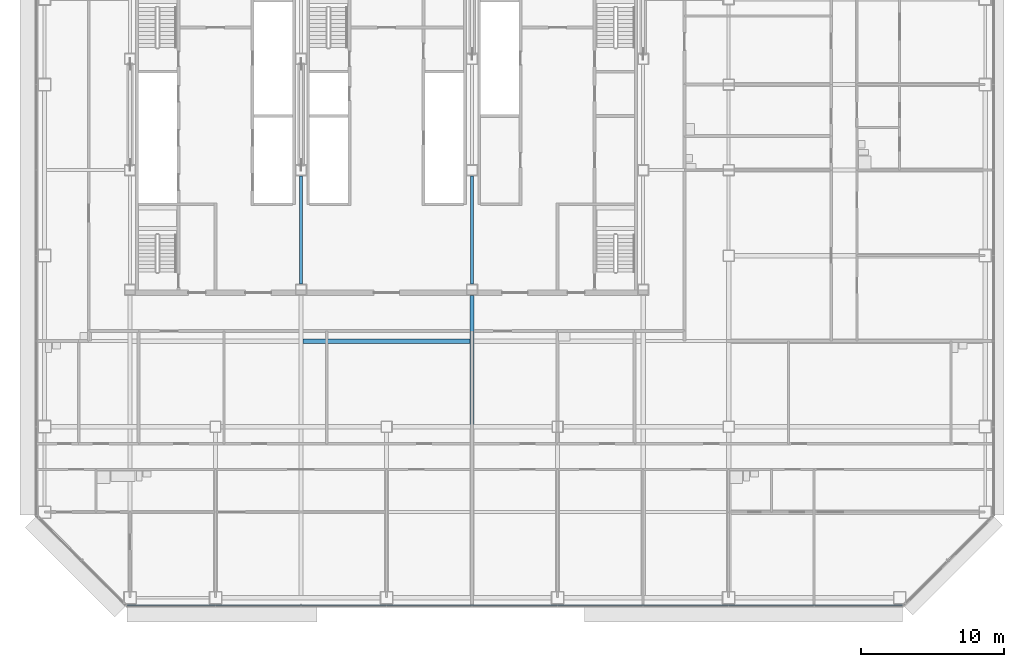
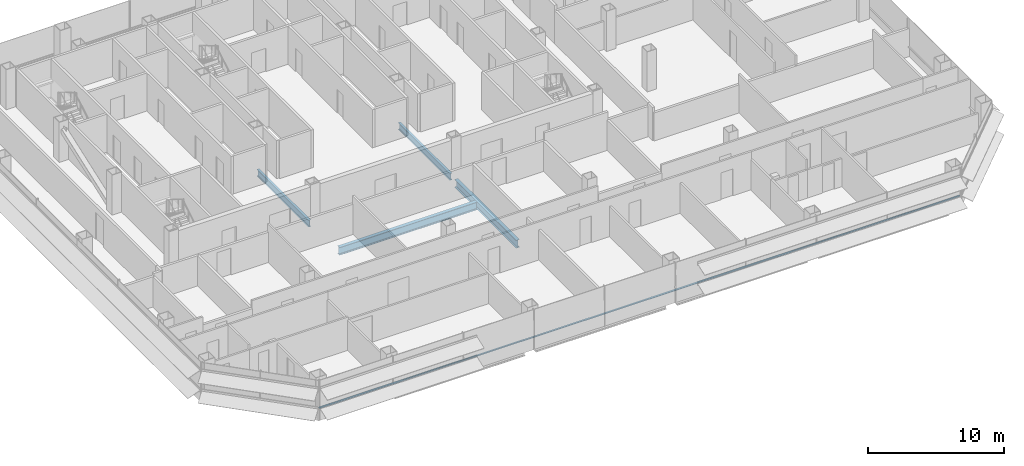
# One storey, part 7 of 27: 4 beams, 1 member, 1 element without a shape of its own.
"""IFC4 building model written with IfcOpenShell, lengths in metres."""

from ifc_helpers import new_model, si_unit, direction, frame, origin, origin_2d, place, context, subcontext, project, spatial, rectangle, i_section, extrude, material, material_profile, profile_set, type_object, element, aggregate, save


model = new_model("IFC4")

# Units and contexts
model_context = context("Model", 3, precision=1e-05, world=origin(), true_north=direction((0.0, 1.0)))
body_context = subcontext(model_context, "Body", "Model", "MODEL_VIEW")
ifc_project = project(units=[si_unit("LENGTHUNIT", "METRE"), si_unit("AREAUNIT", "SQUARE_METRE"), si_unit("VOLUMEUNIT", "CUBIC_METRE"), si_unit("PLANEANGLEUNIT", "RADIAN"), si_unit("MASSUNIT", "GRAM", prefix="KILO")], contexts=[model_context])

# Site, building, storey
site_placement = place(None, origin())
site = spatial("IfcSite", under=ifc_project, at=site_placement, CompositionType="ELEMENT")
building_placement = place(site_placement, origin())
building = spatial("IfcBuilding", under=site, at=building_placement, Name="Sorahane Residences", CompositionType="ELEMENT")
storey_placement = place(building_placement, frame((0.0, 0.0, 78.60009765625)))
storey = spatial("IfcBuildingStorey", under=building, at=storey_placement, Name="L16", CompositionType="ELEMENT", Elevation=78.60009765625)

# Curtain wall, member
ifc_material_1 = material(Name="Dark low-e glass and black anodised aluminium", Category="aluminium")
curtain_wall_type = type_object("IfcCurtainWallType", Name="Curtain wall CW-1 Typical unitised wall", PredefinedType="NOTDEFINED", material=ifc_material_1)
curtain_wall_placement = place(storey_placement, origin())
curtain_wall = element("IfcCurtainWall", 1, at=curtain_wall_placement, inside=storey, type_object=curtain_wall_type, Name="CW-1 curtain wall L16 S1", PredefinedType="NOTDEFINED")
ifc_material_2 = material(Name="Black anodised aluminium", Category="aluminium")
ifc_material_profile_1 = material_profile(ifc_material_2, rectangle(XDim=0.10009765625, YDim=0.06005859375, at=origin_2d()), Name="Curtain wall transom CW-1 black anodised aluminium 60x100")
ifc_profile_set_1 = profile_set([ifc_material_profile_1], Name="Black anodised aluminium")
member_type = type_object("IfcMemberType", Name="Curtain wall transom CW-1 black anodised aluminium 60x100", PredefinedType="USERDEFINED", material=ifc_profile_set_1)
member_placement = place(storey_placement, frame((5.801513671875, -0.530029296875, 0.89990234375), z_axis=(1.0, 0.0, 0.0), x_axis=(0.0, 1.0, 0.0)))
member = element("IfcMember", 2, at=member_placement, type_object=member_type, Name="CW-1 transom L16 S1", ObjectType="TRANSOM", PredefinedType="USERDEFINED", context=body_context, shape_type="SweptSolid", body=[
    extrude(rectangle(XDim=0.10009765625, YDim=0.06005859375, at=origin_2d()), origin(), (0.0, 0.0, 1.0), 54.39697265625),
])
aggregate(curtain_wall, [member])

# Beams
ifc_material_3 = material(Name="Steel Q355B", Category="steel")
ifc_material_profile_2 = material_profile(ifc_material_3, i_section(OverallWidth=0.199951171875, OverallDepth=0.60009765625, WebThickness=0.010986328125, FlangeThickness=0.01708984375, FilletRadius=0.02392578125, at=origin_2d()), Name="HN 600x200x11x17")
ifc_profile_set_2 = profile_set([ifc_material_profile_2], Name="Steel Q355B")
beam_type_1 = type_object("IfcBeamType", Name="Steel floor beam HN 600x200x11x17 Q355B", PredefinedType="BEAM", material=ifc_profile_set_2)
for number, where, z_axis, x_axis, name in (
    (3, (18.0, 22.0, -0.47998046875), (0.0, 1.0, 0.0), (-1.0, 0.0, 0.0), "Beam L16 031"),
    (4, (30.0, 22.0, -0.47998046875), (0.0, 1.0, 0.0), (-1.0, 0.0, 0.0), "Beam L16 039"),
):
    element("IfcBeam", number, at=place(storey_placement, frame(where, z_axis=z_axis, x_axis=x_axis)), inside=storey, type_object=beam_type_1, Name=name, PredefinedType="BEAM", context=body_context, shape_type="SweptSolid", body=[
        extrude(i_section(OverallWidth=0.199951171875, OverallDepth=0.60009765625, WebThickness=0.010986328125, FlangeThickness=0.01708984375, FilletRadius=0.02392578125, at=origin_2d()), origin(), (0.0, 0.0, 1.0), 7.60009765625),
    ])
ifc_material_4 = material(Name="Steel Q355B", Category="steel")
ifc_material_profile_3 = material_profile(ifc_material_4, i_section(OverallWidth=0.300048828125, OverallDepth=0.699951171875, WebThickness=0.012939453125, FlangeThickness=0.02392578125, FilletRadius=0.028076171875, at=origin_2d()), Name="HN 700x300x13x24")
ifc_profile_set_3 = profile_set([ifc_material_profile_3], Name="Steel Q355B")
beam_type_2 = type_object("IfcBeamType", Name="Steel floor beam HN 700x300x13x24 Q355B", PredefinedType="BEAM", material=ifc_profile_set_3)
beam_1_placement = place(storey_placement, frame((30.0, 12.14990234375, -0.530029296875), z_axis=(0.0, 1.0, 0.0), x_axis=(-1.0, 0.0, 0.0)))
element("IfcBeam", 5, at=beam_1_placement, inside=storey, type_object=beam_type_2, Name="Beam L16 038", PredefinedType="BEAM", context=body_context, shape_type="SweptSolid", body=[
    extrude(i_section(OverallWidth=0.300048828125, OverallDepth=0.699951171875, WebThickness=0.012939453125, FlangeThickness=0.02392578125, FilletRadius=0.028076171875, at=origin_2d()), origin(), (0.0, 0.0, 1.0), 9.050048828125),
])
beam_2_placement = place(storey_placement, frame((18.14990234375, 18.0, -0.530029296875), z_axis=(1.0, 0.0, 0.0), x_axis=(0.0, 1.0, 0.0)))
element("IfcBeam", 6, at=beam_2_placement, inside=storey, type_object=beam_type_2, Name="Beam L16 072", PredefinedType="BEAM", context=body_context, shape_type="SweptSolid", body=[
    extrude(i_section(OverallWidth=0.300048828125, OverallDepth=0.699951171875, WebThickness=0.012939453125, FlangeThickness=0.02392578125, FilletRadius=0.028076171875, at=origin_2d()), origin(), (0.0, 0.0, 1.0), 11.7001953125),
])

save(model, "model.ifc")
